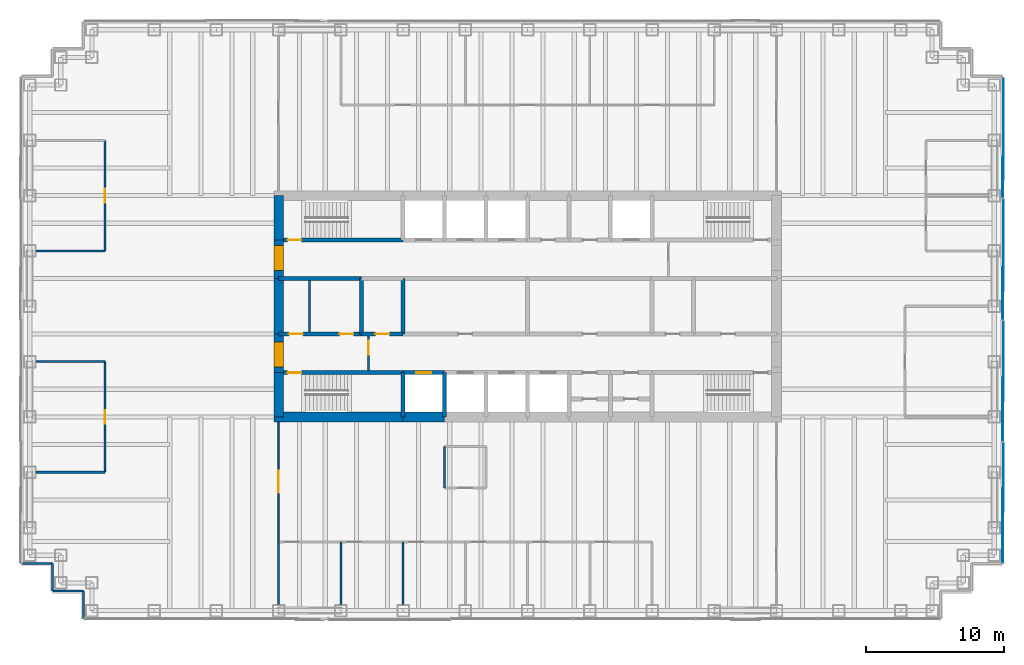
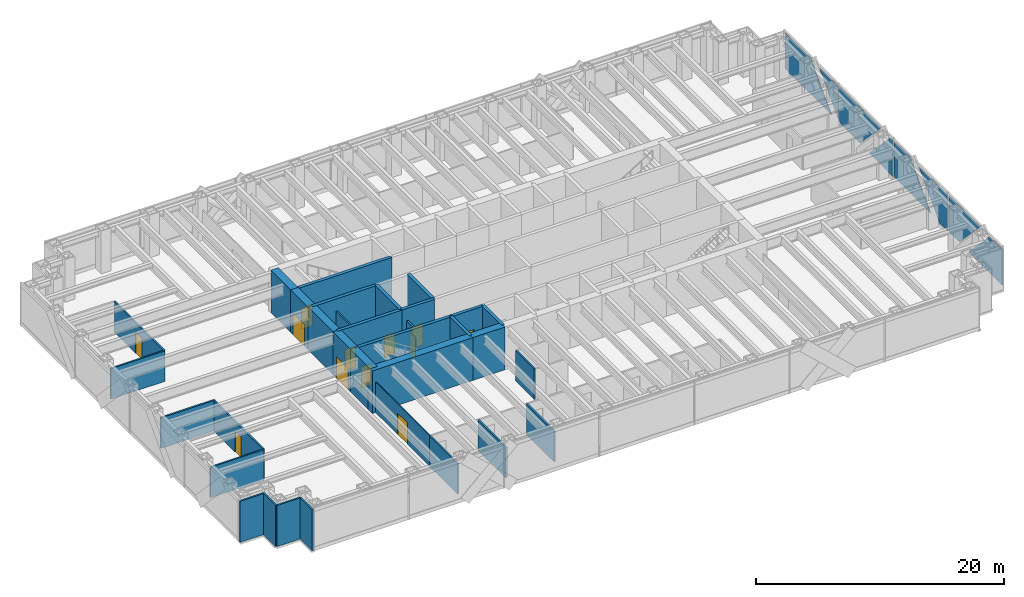
# One storey, part 13 of 17: 33 walls, 12 doors, 8 plates, 12 openings, 1 element without a shape of its own.
"""IFC4 building model written with IfcOpenShell, lengths in metres."""

from ifc_helpers import new_model, si_unit, direction, frame, frame_2d, origin, place, context, subcontext, project, spatial, polyline, rectangle, outline, extrude, material, layer, layer_set, type_object, element, fill, aggregate, save


model = new_model("IFC4")

# Units and contexts
model_context = context("Model", 3, precision=1e-05, world=origin(), true_north=direction((0.0, 1.0)))
body_context = subcontext(model_context, "Body", "Model", "MODEL_VIEW")
ifc_project = project(units=[si_unit("LENGTHUNIT", "METRE"), si_unit("AREAUNIT", "SQUARE_METRE"), si_unit("VOLUMEUNIT", "CUBIC_METRE"), si_unit("PLANEANGLEUNIT", "RADIAN"), si_unit("MASSUNIT", "GRAM", prefix="KILO")], contexts=[model_context])

# Site, building, storey
site_placement = place(None, origin())
site = spatial("IfcSite", under=ifc_project, at=site_placement, CompositionType="ELEMENT")
building_placement = place(site_placement, origin())
building = spatial("IfcBuilding", under=site, at=building_placement, Name="Rheinbord Bourse Tower", CompositionType="ELEMENT")
storey_placement = place(building_placement, frame((0.0, 0.0, 287.89990234375)))
storey = spatial("IfcBuildingStorey", under=building, at=storey_placement, Name="L65", CompositionType="ELEMENT", Elevation=287.89990234375)

# Curtain wall, plates
ifc_material_1 = material(Name="Dark glass and black aluminium", Category="aluminium")
curtain_wall_type = type_object("IfcCurtainWallType", Name="CW3 DARK GLASS CURTAIN WALL", PredefinedType="USERDEFINED", material=ifc_material_1)
curtain_wall_placement = place(storey_placement, origin())
curtain_wall = element("IfcCurtainWall", 1, at=curtain_wall_placement, inside=storey, type_object=curtain_wall_type, Name="Curtain wall CW3 E L65", ObjectType="UNITISED CURTAIN WALL", PredefinedType="USERDEFINED")
ifc_material_2 = material(Name="Dark tinted triple insulating glass", Category="glass")
ifc_layer_1 = layer(ifc_material_2, 0.055908203125)
ifc_layer_set_1 = layer_set([ifc_layer_1], Name="CW3 DARK GLASS PANEL")
plate_type = type_object("IfcPlateType", Name="CW3 DARK GLASS PANEL", PredefinedType="CURTAIN_PANEL", material=ifc_layer_set_1)
plate_1_placement = place(storey_placement, frame((70.3779296875, 5.465087890625, 0.35009765625), z_axis=(-1.0, 0.0, 0.0), x_axis=(0.0, 0.0, 1.0)))
plate_1 = element("IfcPlate", 2, at=plate_1_placement, type_object=plate_type, Name="CW3 glass facet 1", PredefinedType="CURTAIN_PANEL", context=body_context, shape_type="SweptSolid", body=[
    extrude(outline(polyline([(0.0, 0.0), (3.5, 0.0), (3.5, 2.10302734375), (0.0, 5.43701171875), (0.0, 0.0)])), origin(), (0.0, 0.0, 1.0), 0.055908203125),
])
plate_2_placement = place(storey_placement, frame((70.43896484375, 14.16796875, 3.85009765625), z_axis=(-1.0, 0.0, 0.0), x_axis=(0.0, 0.0, -1.0)))
plate_2 = element("IfcPlate", 3, at=plate_2_placement, type_object=plate_type, Name="CW3 glass facet 2", PredefinedType="CURTAIN_PANEL", context=body_context, shape_type="SweptSolid", body=[
    extrude(outline(polyline([(0.0, 0.0), (3.5, 0.0), (3.5, 1.736083984375), (0.0, 5.070068359375), (0.0, 0.0)])), origin(), (0.0, 0.0, 1.0), 0.055908203125),
])
plate_3_placement = place(storey_placement, frame((70.3779296875, 14.23193359375, 0.35009765625), z_axis=(-1.0, 0.0, 0.0), x_axis=(0.0, 0.0, 1.0)))
plate_3 = element("IfcPlate", 4, at=plate_3_placement, type_object=plate_type, Name="CW3 glass facet 1", PredefinedType="CURTAIN_PANEL", context=body_context, shape_type="SweptSolid", body=[
    extrude(outline(polyline([(0.0, 0.0), (3.5, 0.0), (3.5, 4.670166015625), (0.0, 1.336181640625), (0.0, 0.0)])), origin(), (0.0, 0.0, 1.0), 0.055908203125),
])
plate_4_placement = place(storey_placement, frame((70.43896484375, 22.968017578125, 3.85009765625), z_axis=(-1.0, 0.0, 0.0), x_axis=(0.0, 0.0, -1.0)))
plate_4 = element("IfcPlate", 5, at=plate_4_placement, type_object=plate_type, Name="CW3 glass facet 2", PredefinedType="CURTAIN_PANEL", context=body_context, shape_type="SweptSolid", body=[
    extrude(outline(polyline([(0.0, 0.0), (3.5, 0.0), (3.5, 5.8701171875), (0.0, 2.5361328125), (0.0, 0.0)])), origin(), (0.0, 0.0, 1.0), 0.055908203125),
])
plate_5_placement = place(storey_placement, frame((70.3779296875, 23.031982421875, 0.35009765625), z_axis=(-1.0, 0.0, 0.0), x_axis=(0.0, 0.0, 1.0)))
plate_5 = element("IfcPlate", 6, at=plate_5_placement, type_object=plate_type, Name="CW3 glass facet 1", PredefinedType="CURTAIN_PANEL", context=body_context, shape_type="SweptSolid", body=[
    extrude(outline(polyline([(0.0, 0.0), (3.5, 0.0), (3.5, 0.5361328125), (0.0, 3.8701171875), (0.0, 0.0)])), origin(), (0.0, 0.0, 1.0), 0.055908203125),
])
plate_6_placement = place(storey_placement, frame((70.43896484375, 28.431884765625, 0.35009765625), z_axis=(-1.0, 0.0, 0.0), x_axis=(0.0, -0.689725795081, 0.724070664783)))
plate_6 = element("IfcPlate", 7, at=plate_6_placement, type_object=plate_type, Name="CW3 glass facet 2", PredefinedType="CURTAIN_PANEL", context=body_context, shape_type="SweptSolid", body=[
    extrude(outline(polyline([(0.0, 0.0), (4.833740234375, 0.0), (0.23388671875, 4.828857421875), (-2.149169921875, 2.55908203125), (-2.1630859375, 2.270751953125), (0.0, 0.0)])), origin(), (0.0, 0.0, 1.0), 0.055908203125),
])
plate_7_placement = place(storey_placement, frame((70.3779296875, 31.8330078125, 3.85009765625), z_axis=(-1.0, 0.0, 0.0), x_axis=(0.0, 1.0, 0.0)))
plate_7 = element("IfcPlate", 8, at=plate_7_placement, type_object=plate_type, Name="CW3 glass facet 1", PredefinedType="CURTAIN_PANEL", context=body_context, shape_type="SweptSolid", body=[
    extrude(outline(polyline([(0.0, 0.0), (3.069091796875, 0.0), (0.0, 3.222900390625), (0.0, 0.0)])), origin(), (0.0, 0.0, 1.0), 0.055908203125),
])
plate_8_placement = place(storey_placement, frame((70.43896484375, 40.534912109375, 3.85009765625), z_axis=(-1.0, 0.0, 0.0), x_axis=(0.0, 0.0, -1.0)))
plate_8 = element("IfcPlate", 9, at=plate_8_placement, type_object=plate_type, Name="CW3 glass facet 2", PredefinedType="CURTAIN_PANEL", context=body_context, shape_type="SweptSolid", body=[
    extrude(outline(polyline([(0.0, 0.0), (3.5, 0.0), (3.5, 7.43701171875), (0.0, 4.10302734375), (0.0, 0.0)])), origin(), (0.0, 0.0, 1.0), 0.055908203125),
])
aggregate(curtain_wall, [plate_1, plate_2, plate_3, plate_4, plate_5, plate_6, plate_7, plate_8])

# Wall, opening, door
ifc_material_3 = material(Name="Concrete C50/60", Category="concrete")
ifc_layer_2 = layer(ifc_material_3, 0.300048828125)
ifc_layer_set_2 = layer_set([ifc_layer_2], Name="CORE INNER WALL 300")
wall_type_1 = type_object("IfcWallType", Name="CORE INNER WALL 300", PredefinedType="SOLIDWALL", material=ifc_layer_set_2)
wall_1_placement = place(storey_placement, frame((18.0, 19.199951171875, 0.0), z_axis=(0.0, 0.0, 1.0), x_axis=(1.0, 0.0, 0.0)))
wall_1 = element("IfcWall", 10, at=wall_1_placement, inside=storey, type_object=wall_type_1, Name="Core wall A1 L65", PredefinedType="SOLIDWALL", context=body_context, shape_type="SweptSolid", body=[
    extrude(rectangle(XDim=9.0, YDim=0.300048828125, at=frame_2d((4.5, 0.0))), origin(), (0.0, 0.0, 1.0), 4.2001953125),
])
opening_1_placement = place(wall_1_placement, frame((0.64990234375, 0.0, 0.0)))
opening_1 = element("IfcOpeningElement", 11, at=opening_1_placement, cuts=wall_1, Name="Opening 6510", PredefinedType="OPENING", context=body_context, shape_type="SweptSolid", body=[
    extrude(rectangle(XDim=1.0, YDim=2.10009765625, at=frame_2d((0.5, 1.050048828125))), frame((0.0, 0.159912109375, 0.0), z_axis=(0.0, -1.0, 0.0), x_axis=(1.0, 0.0, 0.0)), (0.0, 0.0, 1.0), 0.320068359375),
])
ifc_material_4 = material(Name="Steel door", Category="steel")
door_type_1 = type_object("IfcDoorType", Name="DOOR 1000 EI30", OperationType="SINGLE_SWING_LEFT", PredefinedType="DOOR", material=ifc_material_4)
door_1_placement = place(opening_1_placement, origin())
door_1 = element("IfcDoor", 12, at=door_1_placement, inside=storey, type_object=door_type_1, Name="Stair door ST1 L65", OperationType="SINGLE_SWING_LEFT", OverallHeight=2.10009765625, OverallWidth=1.0, PredefinedType="DOOR", context=body_context, shape_type="SweptSolid", body=[
    extrude(rectangle(XDim=1.0, YDim=2.10009765625, at=frame_2d((0.5, 1.050048828125))), frame((0.0, 0.02490234375, 0.0), z_axis=(0.0, -1.0, 0.0), x_axis=(1.0, 0.0, 0.0)), (0.0, 0.0, 1.0), 0.050048828125),
])
fill(opening_1, door_1)

wall_2_placement = place(storey_placement, frame((27.0, 19.199951171875, 0.0), z_axis=(0.0, 0.0, 1.0), x_axis=(1.0, 0.0, 0.0)))
wall_2 = element("IfcWall", 13, at=wall_2_placement, inside=storey, type_object=wall_type_1, Name="Core wall A2 L65", PredefinedType="SOLIDWALL", context=body_context, shape_type="SweptSolid", body=[
    extrude(rectangle(XDim=3.0, YDim=0.300048828125, at=frame_2d((1.5, 0.0))), origin(), (0.0, 0.0, 1.0), 4.2001953125),
])
opening_2_placement = place(wall_2_placement, frame((0.949951171875, 0.0, 0.0)))
opening_2 = element("IfcOpeningElement", 14, at=opening_2_placement, cuts=wall_2, Name="Opening FL1", PredefinedType="OPENING", context=body_context, shape_type="SweptSolid", body=[
    extrude(rectangle(XDim=1.10009765625, YDim=2.199951171875, at=frame_2d((0.550048828125, 1.10009765625))), frame((0.0, 0.159912109375, 0.0), z_axis=(0.0, -1.0, 0.0), x_axis=(1.0, 0.0, 0.0)), (0.0, 0.0, 1.0), 0.320068359375),
])
ifc_material_5 = material(Name="Steel landing door", Category="steel")
door_type_2 = type_object("IfcDoorType", Name="LIFT LANDING DOOR 1100", OperationType="DOUBLE_DOOR_SLIDING", PredefinedType="USERDEFINED", material=ifc_material_5)
door_2_placement = place(opening_2_placement, origin())
door_2 = element("IfcDoor", 15, at=door_2_placement, inside=storey, type_object=door_type_2, Name="Lift landing door FL1 L65", ObjectType="LIFT LANDING DOOR", OperationType="DOUBLE_DOOR_SLIDING", OverallHeight=2.199951171875, OverallWidth=1.10009765625, PredefinedType="USERDEFINED", context=body_context, shape_type="SweptSolid", body=[
    extrude(rectangle(XDim=1.10009765625, YDim=2.199951171875, at=frame_2d((0.550048828125, 1.10009765625))), frame((0.0, 0.02490234375, 0.0), z_axis=(0.0, -1.0, 0.0), x_axis=(1.0, 0.0, 0.0)), (0.0, 0.0, 1.0), 0.050048828125),
])
fill(opening_2, door_2)

wall_3_placement = place(storey_placement, frame((18.0, 28.800048828125, 0.0), z_axis=(0.0, 0.0, 1.0), x_axis=(1.0, 0.0, 0.0)))
wall_3 = element("IfcWall", 16, at=wall_3_placement, inside=storey, type_object=wall_type_1, Name="Core wall B1 L65", PredefinedType="SOLIDWALL", context=body_context, shape_type="SweptSolid", body=[
    extrude(rectangle(XDim=9.0, YDim=0.300048828125, at=frame_2d((4.5, 0.0))), origin(), (0.0, 0.0, 1.0), 4.2001953125),
])
opening_3_placement = place(wall_3_placement, frame((0.64990234375, 0.0, 0.0)))
opening_3 = element("IfcOpeningElement", 17, at=opening_3_placement, cuts=wall_3, Name="Opening 6520", PredefinedType="OPENING", context=body_context, shape_type="SweptSolid", body=[
    extrude(rectangle(XDim=1.0, YDim=2.10009765625, at=frame_2d((0.5, 1.050048828125))), frame((0.0, 0.159912109375, 0.0), z_axis=(0.0, -1.0, 0.0), x_axis=(1.0, 0.0, 0.0)), (0.0, 0.0, 1.0), 0.320068359375),
])
door_3_placement = place(opening_3_placement, origin())
door_3 = element("IfcDoor", 18, at=door_3_placement, inside=storey, type_object=door_type_1, Name="Stair door ST2 L65", OperationType="SINGLE_SWING_LEFT", OverallHeight=2.10009765625, OverallWidth=1.0, PredefinedType="DOOR", context=body_context, shape_type="SweptSolid", body=[
    extrude(rectangle(XDim=1.0, YDim=2.10009765625, at=frame_2d((0.5, 1.050048828125))), frame((0.0, 0.02490234375, 0.0), z_axis=(0.0, -1.0, 0.0), x_axis=(1.0, 0.0, 0.0)), (0.0, 0.0, 1.0), 0.050048828125),
])
fill(opening_3, door_3)

# Wall, openings, doors
wall_4_placement = place(storey_placement, frame((18.0, 22.0, 0.0), z_axis=(0.0, 0.0, 1.0), x_axis=(1.0, 0.0, 0.0)))
wall_4 = element("IfcWall", 19, at=wall_4_placement, inside=storey, type_object=wall_type_1, Name="Core wall C1 L65", PredefinedType="SOLIDWALL", context=body_context, shape_type="SweptSolid", body=[
    extrude(rectangle(XDim=6.0, YDim=0.300048828125, at=frame_2d((3.0, 0.0))), origin(), (0.0, 0.0, 1.0), 4.2001953125),
])
opening_4_placement = place(wall_4_placement, frame((4.39990234375, 0.0, 0.0)))
opening_4 = element("IfcOpeningElement", 20, at=opening_4_placement, cuts=wall_4, Name="Opening 65R1", PredefinedType="OPENING", context=body_context, shape_type="SweptSolid", body=[
    extrude(rectangle(XDim=1.0, YDim=2.10009765625, at=frame_2d((0.5, 1.050048828125))), frame((0.0, 0.159912109375, 0.0), z_axis=(0.0, -1.0, 0.0), x_axis=(1.0, 0.0, 0.0)), (0.0, 0.0, 1.0), 0.320068359375),
])
opening_5_placement = place(wall_4_placement, frame((0.75, 0.0, 0.0)))
opening_5 = element("IfcOpeningElement", 21, at=opening_5_placement, cuts=wall_4, Name="Opening 65R9", PredefinedType="OPENING", context=body_context, shape_type="SweptSolid", body=[
    extrude(rectangle(XDim=1.0, YDim=2.10009765625, at=frame_2d((0.5, 1.050048828125))), frame((0.0, 0.159912109375, 0.0), z_axis=(0.0, -1.0, 0.0), x_axis=(1.0, 0.0, 0.0)), (0.0, 0.0, 1.0), 0.320068359375),
])
door_4_placement = place(opening_5_placement, origin())
door_4 = element("IfcDoor", 22, at=door_4_placement, inside=storey, type_object=door_type_1, Name="Staff shower door L65", OperationType="SINGLE_SWING_LEFT", OverallHeight=2.10009765625, OverallWidth=1.0, PredefinedType="DOOR", context=body_context, shape_type="SweptSolid", body=[
    extrude(rectangle(XDim=1.0, YDim=2.10009765625, at=frame_2d((0.5, 1.050048828125))), frame((0.0, 0.02490234375, 0.0), z_axis=(0.0, -1.0, 0.0), x_axis=(1.0, 0.0, 0.0)), (0.0, 0.0, 1.0), 0.050048828125),
])
fill(opening_5, door_4)
ifc_material_6 = material(Name="Timber door", Category="wood")
door_type_3 = type_object("IfcDoorType", Name="DOOR 1000 WC", OperationType="SINGLE_SWING_LEFT", PredefinedType="DOOR", material=ifc_material_6)
door_5_placement = place(opening_4_placement, origin())
door_5 = element("IfcDoor", 23, at=door_5_placement, inside=storey, type_object=door_type_3, Name="WC men door L65", OperationType="SINGLE_SWING_RIGHT", OverallHeight=2.10009765625, OverallWidth=1.0, PredefinedType="DOOR", context=body_context, shape_type="SweptSolid", body=[
    extrude(rectangle(XDim=1.0, YDim=2.10009765625, at=frame_2d((0.5, 1.050048828125))), frame((0.0, 0.02490234375, 0.0), z_axis=(0.0, -1.0, 0.0), x_axis=(1.0, 0.0, 0.0)), (0.0, 0.0, 1.0), 0.050048828125),
])
fill(opening_4, door_5)

# Wall, opening, door
wall_5_placement = place(storey_placement, frame((24.0, 22.0, 0.0), z_axis=(0.0, 0.0, 1.0), x_axis=(1.0, 0.0, 0.0)))
wall_5 = element("IfcWall", 24, at=wall_5_placement, inside=storey, type_object=wall_type_1, Name="Core wall C2 L65", PredefinedType="SOLIDWALL", context=body_context, shape_type="SweptSolid", body=[
    extrude(rectangle(XDim=3.0, YDim=0.300048828125, at=frame_2d((1.5, 0.0))), origin(), (0.0, 0.0, 1.0), 4.2001953125),
])
opening_6_placement = place(wall_5_placement, frame((1.0, 0.0, 0.0)))
opening_6 = element("IfcOpeningElement", 25, at=opening_6_placement, cuts=wall_5, Name="Opening 65R2", PredefinedType="OPENING", context=body_context, shape_type="SweptSolid", body=[
    extrude(rectangle(XDim=1.0, YDim=2.10009765625, at=frame_2d((0.5, 1.050048828125))), frame((0.0, 0.159912109375, 0.0), z_axis=(0.0, -1.0, 0.0), x_axis=(1.0, 0.0, 0.0)), (0.0, 0.0, 1.0), 0.320068359375),
])
door_6_placement = place(opening_6_placement, origin())
door_6 = element("IfcDoor", 26, at=door_6_placement, inside=storey, type_object=door_type_3, Name="Accessible WC door L65", OperationType="SINGLE_SWING_LEFT", OverallHeight=2.10009765625, OverallWidth=1.0, PredefinedType="DOOR", context=body_context, shape_type="SweptSolid", body=[
    extrude(rectangle(XDim=1.0, YDim=2.10009765625, at=frame_2d((0.5, 1.050048828125))), frame((0.0, 0.02490234375, 0.0), z_axis=(0.0, -1.0, 0.0), x_axis=(1.0, 0.0, 0.0)), (0.0, 0.0, 1.0), 0.050048828125),
])
fill(opening_6, door_6)

# Walls
wall_6_placement = place(storey_placement, frame((18.0, 26.0, 0.0), z_axis=(0.0, 0.0, 1.0), x_axis=(1.0, 0.0, 0.0)))
element("IfcWall", 27, at=wall_6_placement, inside=storey, type_object=wall_type_1, Name="Core wall D1 L65", PredefinedType="SOLIDWALL", context=body_context, shape_type="SweptSolid", body=[
    extrude(rectangle(XDim=6.0, YDim=0.300048828125, at=frame_2d((3.0, 0.0))), origin(), (0.0, 0.0, 1.0), 4.2001953125),
])
for number, where, z_axis, x_axis, name in (
    (28, (27.0, 16.0, 0.0), (0.0, 0.0, 1.0), (0.0, 1.0, 0.0), "Core wall SX27 L65"),
    (29, (30.0, 16.0, 0.0), (0.0, 0.0, 1.0), (0.0, 1.0, 0.0), "Core wall SX30 L65"),
):
    element("IfcWall", number, at=place(storey_placement, frame(where, z_axis=z_axis, x_axis=x_axis)), inside=storey, type_object=wall_type_1, Name=name, PredefinedType="SOLIDWALL", context=body_context, shape_type="SweptSolid", body=[
        extrude(rectangle(XDim=3.199951171875, YDim=0.300048828125, at=frame_2d((1.60009765625, 0.0))), origin(), (0.0, 0.0, 1.0), 4.2001953125),
    ])
for number, where, z_axis, x_axis, name in (
    (30, (24.0, 22.0, 0.0), (0.0, 0.0, 1.0), (0.0, 1.0, 0.0), "Core wall MX24 L65"),
    (31, (27.0, 22.0, 0.0), (0.0, 0.0, 1.0), (0.0, 1.0, 0.0), "Core wall MX27 L65"),
):
    element("IfcWall", number, at=place(storey_placement, frame(where, z_axis=z_axis, x_axis=x_axis)), inside=storey, type_object=wall_type_1, Name=name, PredefinedType="SOLIDWALL", context=body_context, shape_type="SweptSolid", body=[
        extrude(rectangle(XDim=4.0, YDim=0.300048828125, at=frame_2d((2.0, 0.0))), origin(), (0.0, 0.0, 1.0), 4.2001953125),
    ])
ifc_material_7 = material(Name="Gypsum board fire partition", Category="gypsum board")
ifc_layer_3 = layer(ifc_material_7, 0.14990234375)
ifc_layer_set_3 = layer_set([ifc_layer_3], Name="CORE PARTITION 150 EI30")
wall_type_2 = type_object("IfcWallType", Name="CORE PARTITION 150 EI30", PredefinedType="PARTITIONING", material=ifc_layer_set_3)
wall_7_placement = place(storey_placement, frame((20.22509765625, 22.14990234375, 0.0), z_axis=(0.0, 0.0, 1.0), x_axis=(0.0, 1.0, 0.0)))
element("IfcWall", 32, at=wall_7_placement, inside=storey, type_object=wall_type_2, Name="Core partition L65-2", PredefinedType="PARTITIONING", context=body_context, shape_type="SweptSolid", body=[
    extrude(rectangle(XDim=3.7001953125, YDim=0.14990234375, at=frame_2d((1.85009765625, 0.0))), origin(), (0.0, 0.0, 1.0), 3.0),
])

# Wall, opening, door
wall_8_placement = place(storey_placement, frame((24.5, 19.35009765625, 0.0), z_axis=(0.0, 0.0, 1.0), x_axis=(0.0, 1.0, 0.0)))
wall_8 = element("IfcWall", 33, at=wall_8_placement, inside=storey, type_object=wall_type_2, Name="Core partition L65-4", PredefinedType="PARTITIONING", context=body_context, shape_type="SweptSolid", body=[
    extrude(rectangle(XDim=2.5, YDim=0.14990234375, at=frame_2d((1.25, 0.0))), origin(), (0.0, 0.0, 1.0), 3.0),
])
opening_7_placement = place(wall_8_placement, frame((1.14990234375, 0.0, 0.0)))
opening_7 = element("IfcOpeningElement", 34, at=opening_7_placement, cuts=wall_8, Name="Opening 65L5", PredefinedType="OPENING", context=body_context, shape_type="SweptSolid", body=[
    extrude(rectangle(XDim=1.0, YDim=2.10009765625, at=frame_2d((0.5, 1.050048828125))), frame((0.0, 0.0849609375, 0.0), z_axis=(0.0, -1.0, 0.0), x_axis=(1.0, 0.0, 0.0)), (0.0, 0.0, 1.0), 0.169921875),
])
door_7_placement = place(opening_7_placement, origin())
door_7 = element("IfcDoor", 35, at=door_7_placement, inside=storey, type_object=door_type_1, Name="Stair lobby door L65", OperationType="SINGLE_SWING_RIGHT", OverallHeight=2.10009765625, OverallWidth=1.0, PredefinedType="DOOR", context=body_context, shape_type="SweptSolid", body=[
    extrude(rectangle(XDim=1.0, YDim=2.10009765625, at=frame_2d((0.5, 1.050048828125))), frame((0.0, 0.02490234375, 0.0), z_axis=(0.0, -1.0, 0.0), x_axis=(1.0, 0.0, 0.0)), (0.0, 0.0, 1.0), 0.050048828125),
])
fill(opening_7, door_7)

# Walls
ifc_material_8 = material(Name="Concrete C50/60", Category="concrete")
ifc_layer_4 = layer(ifc_material_8, 0.699951171875)
ifc_layer_set_4 = layer_set([ifc_layer_4], Name="CORE WALL 700")
wall_type_3 = type_object("IfcWallType", Name="CORE WALL 700", PredefinedType="SHEAR", material=ifc_layer_set_4)
wall_9_placement = place(storey_placement, frame((17.64990234375, 16.0, 0.0), z_axis=(0.0, 0.0, 1.0), x_axis=(1.0, 0.0, 0.0)))
element("IfcWall", 36, at=wall_9_placement, inside=storey, type_object=wall_type_3, Name="Core wall S1 L65", PredefinedType="SHEAR", context=body_context, shape_type="SweptSolid", body=[
    extrude(rectangle(XDim=9.35009765625, YDim=0.699951171875, at=frame_2d((4.675048828125, 0.0))), origin(), (0.0, 0.0, 1.0), 4.2001953125),
])
wall_10_placement = place(storey_placement, frame((27.0, 16.0, 0.0), z_axis=(0.0, 0.0, 1.0), x_axis=(1.0, 0.0, 0.0)))
element("IfcWall", 37, at=wall_10_placement, inside=storey, type_object=wall_type_3, Name="Core wall S2 L65", PredefinedType="SHEAR", context=body_context, shape_type="SweptSolid", body=[
    extrude(rectangle(XDim=3.0, YDim=0.699951171875, at=frame_2d((1.5, 0.0))), origin(), (0.0, 0.0, 1.0), 4.2001953125),
])
wall_11_placement = place(storey_placement, frame((18.0, 32.0, 0.0), z_axis=(0.0, 0.0, 1.0), x_axis=(0.0, -1.0, 0.0)))
element("IfcWall", 38, at=wall_11_placement, inside=storey, type_object=wall_type_3, Name="Core wall W1 L65", PredefinedType="SHEAR", context=body_context, shape_type="SweptSolid", body=[
    extrude(rectangle(XDim=3.199951171875, YDim=0.699951171875, at=frame_2d((1.60009765625, 0.0))), origin(), (0.0, 0.0, 1.0), 4.2001953125),
])

# Wall, opening, door
wall_12_placement = place(storey_placement, frame((18.0, 28.800048828125, 0.0), z_axis=(0.0, 0.0, 1.0), x_axis=(0.0, -1.0, 0.0)))
wall_12 = element("IfcWall", 39, at=wall_12_placement, inside=storey, type_object=wall_type_3, Name="Core wall W2 L65", PredefinedType="SHEAR", context=body_context, shape_type="SweptSolid", body=[
    extrude(rectangle(XDim=2.800048828125, YDim=0.699951171875, at=frame_2d((1.39990234375, 0.0))), origin(), (0.0, 0.0, 1.0), 4.2001953125),
])
opening_8_placement = place(wall_12_placement, frame((0.39990234375, 0.0, 0.0)))
opening_8 = element("IfcOpeningElement", 40, at=opening_8_placement, cuts=wall_12, Name="Opening 65L2", PredefinedType="OPENING", context=body_context, shape_type="SweptSolid", body=[
    extrude(rectangle(XDim=1.800048828125, YDim=2.10009765625, at=frame_2d((0.89990234375, 1.050048828125))), frame((0.0, 0.35986328125, 0.0), z_axis=(0.0, -1.0, 0.0), x_axis=(1.0, 0.0, 0.0)), (0.0, 0.0, 1.0), 0.719970703125),
])
ifc_material_9 = material(Name="Steel door", Category="steel")
door_type_4 = type_object("IfcDoorType", Name="DOOR 1800 EI30 DOUBLE", OperationType="DOUBLE_DOOR_DOUBLE_SWING", PredefinedType="DOOR", material=ifc_material_9)
door_8_placement = place(opening_8_placement, origin())
door_8 = element("IfcDoor", 41, at=door_8_placement, inside=storey, type_object=door_type_4, Name="Lobby door 2 L65", OperationType="SINGLE_SWING_LEFT", OverallHeight=2.10009765625, OverallWidth=1.800048828125, PredefinedType="DOOR", context=body_context, shape_type="SweptSolid", body=[
    extrude(rectangle(XDim=1.800048828125, YDim=2.10009765625, at=frame_2d((0.89990234375, 1.050048828125))), frame((0.0, 0.349609375, 0.0), z_axis=(0.0, -1.0, 0.0), x_axis=(1.0, 0.0, 0.0)), (0.0, 0.0, 1.0), 0.699462890625),
])
fill(opening_8, door_8)

# Wall
wall_13_placement = place(storey_placement, frame((18.0, 26.0, 0.0), z_axis=(0.0, 0.0, 1.0), x_axis=(0.0, -1.0, 0.0)))
element("IfcWall", 42, at=wall_13_placement, inside=storey, type_object=wall_type_3, Name="Core wall W3 L65", PredefinedType="SHEAR", context=body_context, shape_type="SweptSolid", body=[
    extrude(rectangle(XDim=4.0, YDim=0.699951171875, at=frame_2d((2.0, 0.0))), origin(), (0.0, 0.0, 1.0), 4.2001953125),
])

# Wall, opening, door
wall_14_placement = place(storey_placement, frame((18.0, 22.0, 0.0), z_axis=(0.0, 0.0, 1.0), x_axis=(0.0, -1.0, 0.0)))
wall_14 = element("IfcWall", 43, at=wall_14_placement, inside=storey, type_object=wall_type_3, Name="Core wall W4 L65", PredefinedType="SHEAR", context=body_context, shape_type="SweptSolid", body=[
    extrude(rectangle(XDim=2.800048828125, YDim=0.699951171875, at=frame_2d((1.39990234375, 0.0))), origin(), (0.0, 0.0, 1.0), 4.2001953125),
])
opening_9_placement = place(wall_14_placement, frame((0.60009765625, 0.0, 0.0)))
opening_9 = element("IfcOpeningElement", 44, at=opening_9_placement, cuts=wall_14, Name="Opening 65L1", PredefinedType="OPENING", context=body_context, shape_type="SweptSolid", body=[
    extrude(rectangle(XDim=1.800048828125, YDim=2.10009765625, at=frame_2d((0.89990234375, 1.050048828125))), frame((0.0, 0.35986328125, 0.0), z_axis=(0.0, -1.0, 0.0), x_axis=(1.0, 0.0, 0.0)), (0.0, 0.0, 1.0), 0.719970703125),
])
door_9_placement = place(opening_9_placement, origin())
door_9 = element("IfcDoor", 45, at=door_9_placement, inside=storey, type_object=door_type_4, Name="Lobby door 1 L65", OperationType="SINGLE_SWING_LEFT", OverallHeight=2.10009765625, OverallWidth=1.800048828125, PredefinedType="DOOR", context=body_context, shape_type="SweptSolid", body=[
    extrude(rectangle(XDim=1.800048828125, YDim=2.10009765625, at=frame_2d((0.89990234375, 1.050048828125))), frame((0.0, 0.349609375, 0.0), z_axis=(0.0, -1.0, 0.0), x_axis=(1.0, 0.0, 0.0)), (0.0, 0.0, 1.0), 0.699462890625),
])
fill(opening_9, door_9)

# Walls
wall_15_placement = place(storey_placement, frame((18.0, 19.199951171875, 0.0), z_axis=(0.0, 0.0, 1.0), x_axis=(0.0, -1.0, 0.0)))
element("IfcWall", 46, at=wall_15_placement, inside=storey, type_object=wall_type_3, Name="Core wall W5 L65", PredefinedType="SHEAR", context=body_context, shape_type="SweptSolid", body=[
    extrude(rectangle(XDim=3.199951171875, YDim=0.699951171875, at=frame_2d((1.60009765625, 0.0))), origin(), (0.0, 0.0, 1.0), 4.2001953125),
])
ifc_material_10 = material(Name="Black metal rainscreen panel", Category="aluminium")
ifc_layer_5 = layer(ifc_material_10, 0.14990234375)
ifc_layer_set_5 = layer_set([ifc_layer_5], Name="CORNER PIER CLADDING 150")
wall_type_4 = type_object("IfcWallType", Name="CORNER PIER CLADDING 150", PredefinedType="ELEMENTEDWALL", material=ifc_layer_set_5)
wall_16_placement = place(storey_placement, frame((-0.60009765625, 5.39990234375, 0.0), z_axis=(0.0, 0.0, 1.0), x_axis=(1.0, 0.0, 0.0)))
element("IfcWall", 47, at=wall_16_placement, inside=storey, type_object=wall_type_4, Name="Corner pier cladding L65 17", PredefinedType="ELEMENTEDWALL", context=body_context, shape_type="SweptSolid", body=[
    extrude(rectangle(XDim=2.25, YDim=0.14990234375, at=frame_2d((1.125, 0.0))), origin(), (0.0, 0.0, 1.0), 4.0400390625),
])
wall_17_placement = place(storey_placement, frame((1.64990234375, 5.39990234375, 0.0), z_axis=(0.0, 0.0, 1.0), x_axis=(0.0, -1.0, 0.0)))
element("IfcWall", 48, at=wall_17_placement, inside=storey, type_object=wall_type_4, Name="Corner pier cladding L65 18", PredefinedType="ELEMENTEDWALL", context=body_context, shape_type="SweptSolid", body=[
    extrude(rectangle(XDim=2.0, YDim=0.14990234375, at=frame_2d((1.0, 0.0))), origin(), (0.0, 0.0, 1.0), 4.0400390625),
])
wall_18_placement = place(storey_placement, frame((1.64990234375, 3.39990234375, 0.0), z_axis=(0.0, 0.0, 1.0), x_axis=(1.0, 0.0, 0.0)))
element("IfcWall", 49, at=wall_18_placement, inside=storey, type_object=wall_type_4, Name="Corner pier cladding L65 19", PredefinedType="ELEMENTEDWALL", context=body_context, shape_type="SweptSolid", body=[
    extrude(rectangle(XDim=2.25, YDim=0.14990234375, at=frame_2d((1.125, 0.0))), origin(), (0.0, 0.0, 1.0), 4.0400390625),
])
wall_19_placement = place(storey_placement, frame((3.89990234375, 3.39990234375, 0.0), z_axis=(0.0, 0.0, 1.0), x_axis=(0.0, -1.0, 0.0)))
element("IfcWall", 50, at=wall_19_placement, inside=storey, type_object=wall_type_4, Name="Corner pier cladding L65 20", PredefinedType="ELEMENTEDWALL", context=body_context, shape_type="SweptSolid", body=[
    extrude(rectangle(XDim=2.0, YDim=0.14990234375, at=frame_2d((1.0, 0.0))), origin(), (0.0, 0.0, 1.0), 4.0400390625),
])
ifc_material_11 = material(Name="Gypsum board fire partition", Category="gypsum board")
ifc_layer_6 = layer(ifc_material_11, 0.14990234375)
ifc_layer_set_6 = layer_set([ifc_layer_6], Name="FIRE PARTITION 150 EI60")
wall_type_5 = type_object("IfcWallType", Name="FIRE PARTITION 150 EI60", PredefinedType="PARTITIONING", material=ifc_layer_set_6)
for number, where, z_axis, x_axis, name in (
    (51, (0.449951171875, 12.0, 0.0), (0.0, 0.0, 1.0), (1.0, 0.0, 0.0), "Partition L65-03"),
    (52, (0.449951171875, 20.0, 0.0), (0.0, 0.0, 1.0), (1.0, 0.0, 0.0), "Partition L65-06"),
    (53, (0.449951171875, 28.0, 0.0), (0.0, 0.0, 1.0), (1.0, 0.0, 0.0), "Partition L65-08"),
):
    element("IfcWall", number, at=place(storey_placement, frame(where, z_axis=z_axis, x_axis=x_axis)), inside=storey, type_object=wall_type_5, Name=name, PredefinedType="PARTITIONING", context=body_context, shape_type="SweptSolid", body=[
        extrude(rectangle(XDim=5.0, YDim=0.14990234375, at=frame_2d((2.5, 0.0))), origin(), (0.0, 0.0, 1.0), 3.0),
    ])

# Wall, opening, door
wall_20_placement = place(storey_placement, frame((5.449951171875, 12.0, 0.0), z_axis=(0.0, 0.0, 1.0), x_axis=(0.0, 1.0, 0.0)))
wall_20 = element("IfcWall", 54, at=wall_20_placement, inside=storey, type_object=wall_type_5, Name="Partition L65-15", PredefinedType="PARTITIONING", context=body_context, shape_type="SweptSolid", body=[
    extrude(rectangle(XDim=8.0, YDim=0.14990234375, at=frame_2d((4.0, 0.0))), origin(), (0.0, 0.0, 1.0), 3.0),
])
opening_10_placement = place(wall_20_placement, frame((3.5, 0.0, 0.0)))
opening_10 = element("IfcOpeningElement", 55, at=opening_10_placement, cuts=wall_20, Name="Opening 65D08", PredefinedType="OPENING", context=body_context, shape_type="SweptSolid", body=[
    extrude(rectangle(XDim=1.0, YDim=2.10009765625, at=frame_2d((0.5, 1.050048828125))), frame((0.0, 0.0849609375, 0.0), z_axis=(0.0, -1.0, 0.0), x_axis=(1.0, 0.0, 0.0)), (0.0, 0.0, 1.0), 0.169921875),
])
ifc_material_12 = material(Name="Timber fire door", Category="wood")
door_type_5 = type_object("IfcDoorType", Name="FIRE DOOR 1000 EI60", OperationType="SINGLE_SWING_LEFT", PredefinedType="DOOR", material=ifc_material_12)
door_10_placement = place(opening_10_placement, origin())
door_10 = element("IfcDoor", 56, at=door_10_placement, inside=storey, type_object=door_type_5, Name="Archive door L65", OperationType="SINGLE_SWING_LEFT", OverallHeight=2.10009765625, OverallWidth=1.0, PredefinedType="DOOR", context=body_context, shape_type="SweptSolid", body=[
    extrude(rectangle(XDim=1.0, YDim=2.10009765625, at=frame_2d((0.5, 1.050048828125))), frame((0.0, 0.02490234375, 0.0), z_axis=(0.0, -1.0, 0.0), x_axis=(1.0, 0.0, 0.0)), (0.0, 0.0, 1.0), 0.050048828125),
])
fill(opening_10, door_10)

wall_21_placement = place(storey_placement, frame((5.449951171875, 28.0, 0.0), z_axis=(0.0, 0.0, 1.0), x_axis=(0.0, 1.0, 0.0)))
wall_21 = element("IfcWall", 57, at=wall_21_placement, inside=storey, type_object=wall_type_5, Name="Partition L65-16", PredefinedType="PARTITIONING", context=body_context, shape_type="SweptSolid", body=[
    extrude(rectangle(XDim=8.0, YDim=0.14990234375, at=frame_2d((4.0, 0.0))), origin(), (0.0, 0.0, 1.0), 3.0),
])
opening_11_placement = place(wall_21_placement, frame((3.5, 0.0, 0.0)))
opening_11 = element("IfcOpeningElement", 58, at=opening_11_placement, cuts=wall_21, Name="Opening 65D11", PredefinedType="OPENING", context=body_context, shape_type="SweptSolid", body=[
    extrude(rectangle(XDim=1.0, YDim=2.10009765625, at=frame_2d((0.5, 1.050048828125))), frame((0.0, 0.0849609375, 0.0), z_axis=(0.0, -1.0, 0.0), x_axis=(1.0, 0.0, 0.0)), (0.0, 0.0, 1.0), 0.169921875),
])
door_11_placement = place(opening_11_placement, origin())
door_11 = element("IfcDoor", 59, at=door_11_placement, inside=storey, type_object=door_type_5, Name="Records room door L65", OperationType="SINGLE_SWING_LEFT", OverallHeight=2.10009765625, OverallWidth=1.0, PredefinedType="DOOR", context=body_context, shape_type="SweptSolid", body=[
    extrude(rectangle(XDim=1.0, YDim=2.10009765625, at=frame_2d((0.5, 1.050048828125))), frame((0.0, 0.02490234375, 0.0), z_axis=(0.0, -1.0, 0.0), x_axis=(1.0, 0.0, 0.0)), (0.0, 0.0, 1.0), 0.050048828125),
])
fill(opening_11, door_11)

ifc_material_13 = material(Name="Toughened laminated glass partition", Category="glass")
ifc_layer_7 = layer(ifc_material_13, 0.10009765625)
ifc_layer_set_7 = layer_set([ifc_layer_7], Name="GLAZED PARTITION 100")
wall_type_6 = type_object("IfcWallType", Name="GLAZED PARTITION 100", PredefinedType="PARTITIONING", material=ifc_layer_set_7)
wall_22_placement = place(storey_placement, frame((18.0, 6.949951171875, 0.0), z_axis=(0.0, 0.0, 1.0), x_axis=(0.0, 1.0, 0.0)))
wall_22 = element("IfcWall", 60, at=wall_22_placement, inside=storey, type_object=wall_type_6, Name="Partition L65-18", PredefinedType="PARTITIONING", context=body_context, shape_type="SweptSolid", body=[
    extrude(rectangle(XDim=8.699951171875, YDim=0.10009765625, at=frame_2d((4.35009765625, 0.0))), origin(), (0.0, 0.0, 1.0), 3.0),
])
opening_12_placement = place(wall_22_placement, frame((3.550048828125, 0.0, 0.0)))
opening_12 = element("IfcOpeningElement", 61, at=opening_12_placement, cuts=wall_22, Name="Opening 65D16", PredefinedType="OPENING", context=body_context, shape_type="SweptSolid", body=[
    extrude(rectangle(XDim=1.60009765625, YDim=2.10009765625, at=frame_2d((0.800048828125, 1.050048828125))), frame((0.0, 0.06005859375, 0.0), z_axis=(0.0, -1.0, 0.0), x_axis=(1.0, 0.0, 0.0)), (0.0, 0.0, 1.0), 0.1201171875),
])
ifc_material_14 = material(Name="Timber door", Category="wood")
door_type_6 = type_object("IfcDoorType", Name="DOUBLE ROOM DOOR 1600", OperationType="DOUBLE_DOOR_DOUBLE_SWING", PredefinedType="DOOR", material=ifc_material_14)
door_12_placement = place(opening_12_placement, origin())
door_12 = element("IfcDoor", 62, at=door_12_placement, inside=storey, type_object=door_type_6, Name="Open area door L65", OperationType="SINGLE_SWING_LEFT", OverallHeight=2.10009765625, OverallWidth=1.60009765625, PredefinedType="DOOR", context=body_context, shape_type="SweptSolid", body=[
    extrude(rectangle(XDim=1.60009765625, YDim=2.10009765625, at=frame_2d((0.800048828125, 1.050048828125))), frame((0.0, 0.02490234375, 0.0), z_axis=(0.0, -1.0, 0.0), x_axis=(1.0, 0.0, 0.0)), (0.0, 0.0, 1.0), 0.050048828125),
])
fill(opening_12, door_12)

# Walls
ifc_material_15 = material(Name="Gypsum board partition", Category="gypsum board")
ifc_layer_8 = layer(ifc_material_15, 0.14990234375)
ifc_layer_set_8 = layer_set([ifc_layer_8], Name="PARTITION 150")
wall_type_7 = type_object("IfcWallType", Name="PARTITION 150", PredefinedType="PARTITIONING", material=ifc_layer_set_8)
for number, where, z_axis, x_axis, name in (
    (63, (18.0, 2.449951171875, 0.0), (0.0, 0.0, 1.0), (0.0, 1.0, 0.0), "Partition L65-17"),
    (64, (22.5, 2.449951171875, 0.0), (0.0, 0.0, 1.0), (0.0, 1.0, 0.0), "Partition L65-20"),
    (65, (27.0, 2.449951171875, 0.0), (0.0, 0.0, 1.0), (0.0, 1.0, 0.0), "Partition L65-22"),
):
    element("IfcWall", number, at=place(storey_placement, frame(where, z_axis=z_axis, x_axis=x_axis)), inside=storey, type_object=wall_type_7, Name=name, PredefinedType="PARTITIONING", context=body_context, shape_type="SweptSolid", body=[
        extrude(rectangle(XDim=4.5, YDim=0.14990234375, at=frame_2d((2.25, 0.0))), origin(), (0.0, 0.0, 1.0), 3.0),
    ])
wall_23_placement = place(storey_placement, frame((30.0, 10.85009765625, 0.0), z_axis=(0.0, 0.0, 1.0), x_axis=(0.0, 1.0, 0.0)))
element("IfcWall", 66, at=wall_23_placement, inside=storey, type_object=wall_type_7, Name="Partition L65-23", PredefinedType="PARTITIONING", context=body_context, shape_type="SweptSolid", body=[
    extrude(rectangle(XDim=3.0, YDim=0.14990234375, at=frame_2d((1.5, 0.0))), origin(), (0.0, 0.0, 1.0), 3.0),
])

save(model, "model.ifc")
